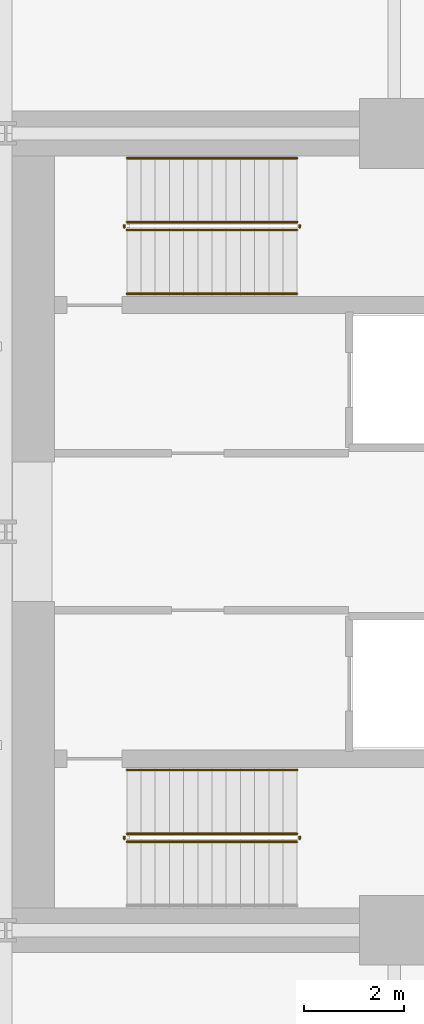
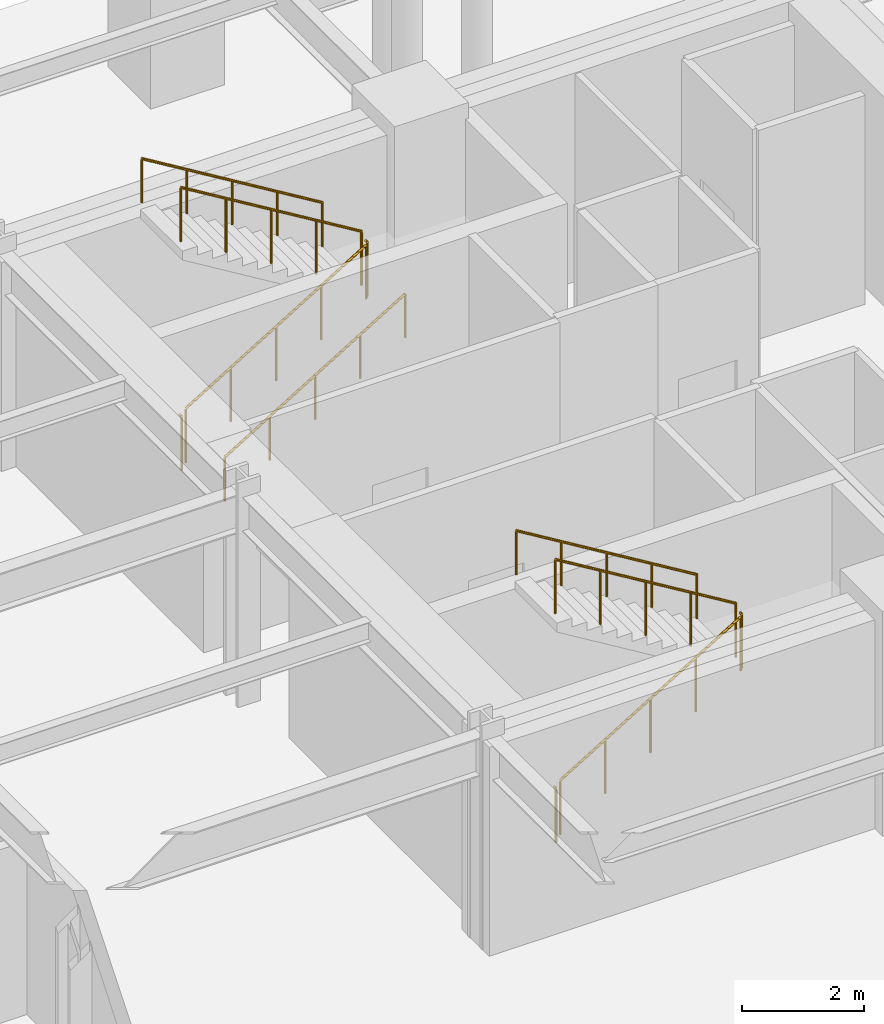
# One storey, part 9 of 10: 11 railings.
"""IFC4 building model written with IfcOpenShell, lengths in metres."""

from ifc_helpers import new_model, si_unit, direction, frame, origin, origin_2d, place, context, subcontext, project, spatial, circle, extrude, material, type_object, element, save


model = new_model("IFC4")

# Units and contexts
model_context = context("Model", 3, precision=1e-05, world=origin(), true_north=direction((0.0, 1.0)))
body_context = subcontext(model_context, "Body", "Model", "MODEL_VIEW")
ifc_project = project(units=[si_unit("LENGTHUNIT", "METRE"), si_unit("AREAUNIT", "SQUARE_METRE"), si_unit("VOLUMEUNIT", "CUBIC_METRE"), si_unit("PLANEANGLEUNIT", "RADIAN"), si_unit("MASSUNIT", "GRAM", prefix="KILO")], contexts=[model_context])

# Site, building, storey
site_placement = place(None, origin())
site = spatial("IfcSite", under=ifc_project, at=site_placement, CompositionType="ELEMENT")
building_placement = place(site_placement, origin())
building = spatial("IfcBuilding", under=site, at=building_placement, Name="Veymaron Broadcast Tower", CompositionType="ELEMENT")
storey_placement = place(building_placement, frame((0.0, 0.0, -4.5)))
storey = spatial("IfcBuildingStorey", under=building, at=storey_placement, Name="B1", CompositionType="ELEMENT", Elevation=-4.5)

# Railings
ifc_material_1 = material(Name="Brushed stainless steel AISI 304", Category="steel")
railing_type_1 = type_object("IfcRailingType", Name="RAIL-STAIR-HR", PredefinedType="HANDRAIL", material=ifc_material_1)
railing_1_placement = place(storey_placement, frame((41.429931640625, 28.780029296875, 0.173095703125)))
element("IfcRailing", 1, at=railing_1_placement, inside=storey, type_object=railing_type_1, Name="B1 ST1 stair handrail 1", PredefinedType="HANDRAIL", context=body_context, shape_type="SweptSolid", body=[
    extrude(circle(Radius=0.02392578125, at=origin_2d()), frame((0.0, 0.0, 0.8759765625), z_axis=(0.854745945586, 0.0, 0.519046595696), x_axis=(0.0, 1.0, 0.0)), (0.0, 0.0, 1.0), 4.00146484375),
    extrude(circle(Radius=0.02099609375, at=origin_2d()), origin(), (0.0, 0.0, 1.0), 0.851806640625),
    extrude(circle(Radius=0.02099609375, at=origin_2d()), frame((0.85498046875, 0.0, 0.519287109375)), (0.0, 0.0, 1.0), 0.851806640625),
    extrude(circle(Radius=0.02099609375, at=origin_2d()), frame((1.7099609375, 0.0, 1.03857421875)), (0.0, 0.0, 1.0), 0.851806640625),
    extrude(circle(Radius=0.02099609375, at=origin_2d()), frame((2.565185546875, 0.0, 1.5576171875)), (0.0, 0.0, 1.0), 0.851806640625),
    extrude(circle(Radius=0.02099609375, at=origin_2d()), frame((3.420166015625, 0.0, 2.076904296875)), (0.0, 0.0, 1.0), 0.851806640625),
])
for number, where, name in (
    (2, (44.85009765625, 31.5, 2.423095703125), "B1 ST1 stair handrail 2"),
    (3, (44.85009765625, 19.219970703125, 2.423095703125), "B1 ST2 stair handrail 2"),
):
    element("IfcRailing", number, at=place(storey_placement, frame(where)), inside=storey, type_object=railing_type_1, Name=name, PredefinedType="HANDRAIL", context=body_context, shape_type="SweptSolid", body=[
        extrude(circle(Radius=0.02392578125, at=origin_2d()), frame((0.0, 0.0, 0.8759765625), z_axis=(-0.854745945586, 0.0, 0.519046595696), x_axis=(0.0, -1.0, 0.0)), (0.0, 0.0, 1.0), 4.00146484375),
        extrude(circle(Radius=0.02099609375, at=origin_2d()), origin(), (0.0, 0.0, 1.0), 0.851806640625),
        extrude(circle(Radius=0.02099609375, at=origin_2d()), frame((-0.85498046875, 0.0, 0.519287109375)), (0.0, 0.0, 1.0), 0.851806640625),
        extrude(circle(Radius=0.02099609375, at=origin_2d()), frame((-1.7099609375, 0.0, 1.03857421875)), (0.0, 0.0, 1.0), 0.851806640625),
        extrude(circle(Radius=0.02099609375, at=origin_2d()), frame((-2.565185546875, 0.0, 1.5576171875)), (0.0, 0.0, 1.0), 0.851806640625),
        extrude(circle(Radius=0.02099609375, at=origin_2d()), frame((-3.420166015625, 0.0, 2.076904296875)), (0.0, 0.0, 1.0), 0.851806640625),
    ])
ifc_material_2 = material(Name="Painted galvanized steel balustrade", Category="steel")
railing_type_2 = type_object("IfcRailingType", Name="RAIL-WELL-GRD", PredefinedType="GUARDRAIL", material=ifc_material_2)
railing_2_placement = place(storey_placement, frame((41.429931640625, 30.06005859375, 0.173095703125)))
element("IfcRailing", 4, at=railing_2_placement, inside=storey, type_object=railing_type_2, Name="B1 ST1 stair guard 1", PredefinedType="GUARDRAIL", context=body_context, shape_type="SweptSolid", body=[
    extrude(circle(Radius=0.02392578125, at=origin_2d()), frame((0.0, 0.0, 1.076171875), z_axis=(0.854745945586, 0.0, 0.519046595696), x_axis=(0.0, 1.0, 0.0)), (0.0, 0.0, 1.0), 4.00146484375),
    extrude(circle(Radius=0.02099609375, at=origin_2d()), origin(), (0.0, 0.0, 1.0), 1.052001953125),
    extrude(circle(Radius=0.02099609375, at=origin_2d()), frame((0.85498046875, 0.0, 0.519287109375)), (0.0, 0.0, 1.0), 1.052001953125),
    extrude(circle(Radius=0.02099609375, at=origin_2d()), frame((1.7099609375, 0.0, 1.03857421875)), (0.0, 0.0, 1.0), 1.052001953125),
    extrude(circle(Radius=0.02099609375, at=origin_2d()), frame((2.565185546875, 0.0, 1.5576171875)), (0.0, 0.0, 1.0), 1.052001953125),
    extrude(circle(Radius=0.02099609375, at=origin_2d()), frame((3.420166015625, 0.0, 2.076904296875)), (0.0, 0.0, 1.0), 1.052001953125),
])
railing_3_placement = place(storey_placement, frame((44.89990234375, 30.110107421875, 2.25)))
element("IfcRailing", 5, at=railing_3_placement, inside=storey, type_object=railing_type_2, Name="B1 ST1 stair guard 2", PredefinedType="GUARDRAIL", context=body_context, shape_type="SweptSolid", body=[
    extrude(circle(Radius=0.02392578125, at=origin_2d()), frame((0.0, 0.0, 1.076171875), z_axis=(0.0, 1.0, 0.0), x_axis=(-1.0, 0.0, 0.0)), (0.0, 0.0, 1.0), 0.059814453125),
    extrude(circle(Radius=0.02099609375, at=origin_2d()), origin(), (0.0, 0.0, 1.0), 1.052001953125),
])
railing_4_placement = place(storey_placement, frame((44.85009765625, 30.219970703125, 2.423095703125)))
element("IfcRailing", 6, at=railing_4_placement, inside=storey, type_object=railing_type_2, Name="B1 ST1 stair guard 3", PredefinedType="GUARDRAIL", context=body_context, shape_type="SweptSolid", body=[
    extrude(circle(Radius=0.02392578125, at=origin_2d()), frame((0.0, 0.0, 1.076171875), z_axis=(-0.854745945586, 0.0, 0.519046595696), x_axis=(0.0, -1.0, 0.0)), (0.0, 0.0, 1.0), 4.00146484375),
    extrude(circle(Radius=0.02099609375, at=origin_2d()), origin(), (0.0, 0.0, 1.0), 1.052001953125),
    extrude(circle(Radius=0.02099609375, at=origin_2d()), frame((-0.85498046875, 0.0, 0.519287109375)), (0.0, 0.0, 1.0), 1.052001953125),
    extrude(circle(Radius=0.02099609375, at=origin_2d()), frame((-1.7099609375, 0.0, 1.03857421875)), (0.0, 0.0, 1.0), 1.052001953125),
    extrude(circle(Radius=0.02099609375, at=origin_2d()), frame((-2.565185546875, 0.0, 1.5576171875)), (0.0, 0.0, 1.0), 1.052001953125),
    extrude(circle(Radius=0.02099609375, at=origin_2d()), frame((-3.420166015625, 0.0, 2.076904296875)), (0.0, 0.0, 1.0), 1.052001953125),
])
railing_5_placement = place(storey_placement, frame((41.3798828125, 30.110107421875, 0.0)))
element("IfcRailing", 7, at=railing_5_placement, inside=storey, type_object=railing_type_2, Name="B1 ST1 stair guard 4", PredefinedType="GUARDRAIL", context=body_context, shape_type="SweptSolid", body=[
    extrude(circle(Radius=0.02392578125, at=origin_2d()), frame((0.0, 0.0, 1.076171875), z_axis=(0.0, 1.0, 0.0), x_axis=(-1.0, 0.0, 0.0)), (0.0, 0.0, 1.0), 0.059814453125),
    extrude(circle(Radius=0.02099609375, at=origin_2d()), origin(), (0.0, 0.0, 1.0), 1.052001953125),
])
railing_6_placement = place(storey_placement, frame((41.429931640625, 17.780029296875, 0.173095703125)))
element("IfcRailing", 8, at=railing_6_placement, inside=storey, type_object=railing_type_2, Name="B1 ST2 stair guard 1", PredefinedType="GUARDRAIL", context=body_context, shape_type="SweptSolid", body=[
    extrude(circle(Radius=0.02392578125, at=origin_2d()), frame((0.0, 0.0, 1.076171875), z_axis=(0.854745945586, 0.0, 0.519046595696), x_axis=(0.0, 1.0, 0.0)), (0.0, 0.0, 1.0), 4.00146484375),
    extrude(circle(Radius=0.02099609375, at=origin_2d()), origin(), (0.0, 0.0, 1.0), 1.052001953125),
    extrude(circle(Radius=0.02099609375, at=origin_2d()), frame((0.85498046875, 0.0, 0.519287109375)), (0.0, 0.0, 1.0), 1.052001953125),
    extrude(circle(Radius=0.02099609375, at=origin_2d()), frame((1.7099609375, 0.0, 1.03857421875)), (0.0, 0.0, 1.0), 1.052001953125),
    extrude(circle(Radius=0.02099609375, at=origin_2d()), frame((2.565185546875, 0.0, 1.5576171875)), (0.0, 0.0, 1.0), 1.052001953125),
    extrude(circle(Radius=0.02099609375, at=origin_2d()), frame((3.420166015625, 0.0, 2.076904296875)), (0.0, 0.0, 1.0), 1.052001953125),
])
railing_7_placement = place(storey_placement, frame((44.89990234375, 17.830078125, 2.25)))
element("IfcRailing", 9, at=railing_7_placement, inside=storey, type_object=railing_type_2, Name="B1 ST2 stair guard 2", PredefinedType="GUARDRAIL", context=body_context, shape_type="SweptSolid", body=[
    extrude(circle(Radius=0.02392578125, at=origin_2d()), frame((0.0, 0.0, 1.076171875), z_axis=(0.0, 1.0, 0.0), x_axis=(-1.0, 0.0, 0.0)), (0.0, 0.0, 1.0), 0.059814453125),
    extrude(circle(Radius=0.02099609375, at=origin_2d()), origin(), (0.0, 0.0, 1.0), 1.052001953125),
])
railing_8_placement = place(storey_placement, frame((44.85009765625, 17.93994140625, 2.423095703125)))
element("IfcRailing", 10, at=railing_8_placement, inside=storey, type_object=railing_type_2, Name="B1 ST2 stair guard 3", PredefinedType="GUARDRAIL", context=body_context, shape_type="SweptSolid", body=[
    extrude(circle(Radius=0.02392578125, at=origin_2d()), frame((0.0, 0.0, 1.076171875), z_axis=(-0.854745945586, 0.0, 0.519046595696), x_axis=(0.0, -1.0, 0.0)), (0.0, 0.0, 1.0), 4.00146484375),
    extrude(circle(Radius=0.02099609375, at=origin_2d()), origin(), (0.0, 0.0, 1.0), 1.052001953125),
    extrude(circle(Radius=0.02099609375, at=origin_2d()), frame((-0.85498046875, 0.0, 0.519287109375)), (0.0, 0.0, 1.0), 1.052001953125),
    extrude(circle(Radius=0.02099609375, at=origin_2d()), frame((-1.7099609375, 0.0, 1.03857421875)), (0.0, 0.0, 1.0), 1.052001953125),
    extrude(circle(Radius=0.02099609375, at=origin_2d()), frame((-2.565185546875, 0.0, 1.5576171875)), (0.0, 0.0, 1.0), 1.052001953125),
    extrude(circle(Radius=0.02099609375, at=origin_2d()), frame((-3.420166015625, 0.0, 2.076904296875)), (0.0, 0.0, 1.0), 1.052001953125),
])
railing_9_placement = place(storey_placement, frame((41.3798828125, 17.830078125, 0.0)))
element("IfcRailing", 11, at=railing_9_placement, inside=storey, type_object=railing_type_2, Name="B1 ST2 stair guard 4", PredefinedType="GUARDRAIL", context=body_context, shape_type="SweptSolid", body=[
    extrude(circle(Radius=0.02392578125, at=origin_2d()), frame((0.0, 0.0, 1.076171875), z_axis=(0.0, 1.0, 0.0), x_axis=(-1.0, 0.0, 0.0)), (0.0, 0.0, 1.0), 0.059814453125),
    extrude(circle(Radius=0.02099609375, at=origin_2d()), origin(), (0.0, 0.0, 1.0), 1.052001953125),
])

save(model, "model.ifc")
